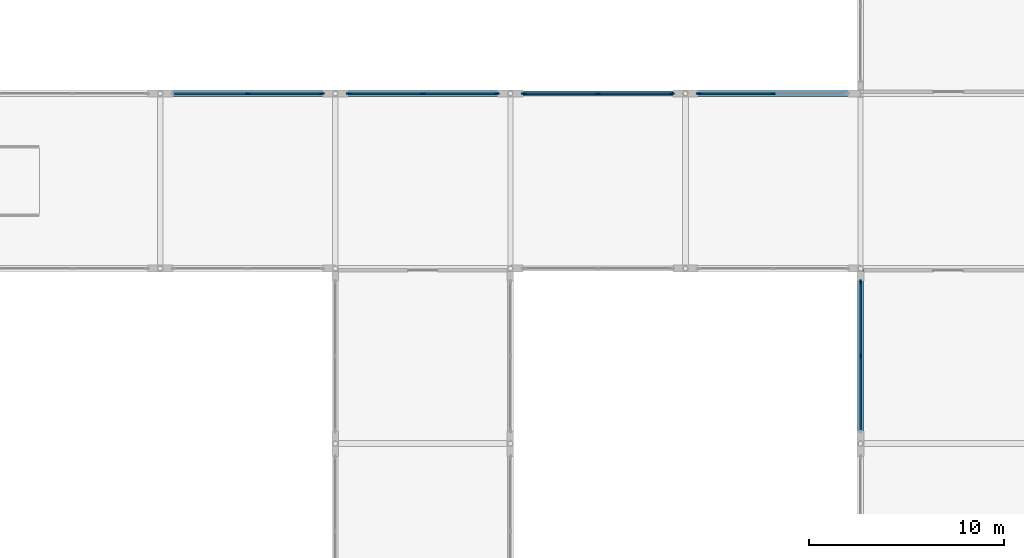
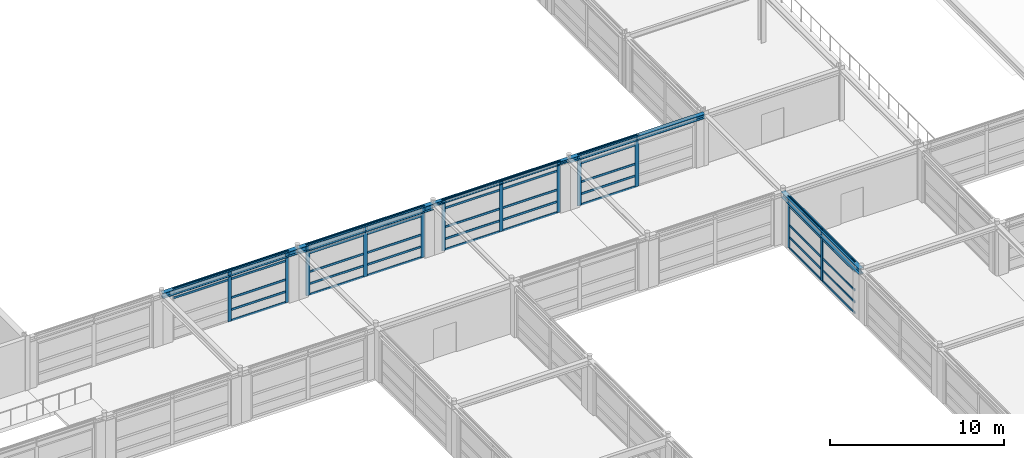
# One storey, part 37 of 79: 54 members, 5 beams, 5 elements without a shape of their own.
"""IFC4 building model written with IfcOpenShell, lengths in metres."""

from ifc_helpers import new_model, si_unit, direction, frame, origin, origin_2d, place, context, subcontext, project, spatial, rectangle, i_section, extrude, material, material_profile, profile_set, type_object, element, aggregate, save


model = new_model("IFC4")

# Units and contexts
model_context = context("Model", 3, precision=1e-05, world=origin(), true_north=direction((0.0, 1.0)))
body_context = subcontext(model_context, "Body", "Model", "MODEL_VIEW")
ifc_project = project(units=[si_unit("LENGTHUNIT", "METRE"), si_unit("AREAUNIT", "SQUARE_METRE"), si_unit("VOLUMEUNIT", "CUBIC_METRE"), si_unit("PLANEANGLEUNIT", "RADIAN"), si_unit("MASSUNIT", "GRAM", prefix="KILO")], contexts=[model_context])

# Site, building, storey
site_placement = place(None, origin())
site = spatial("IfcSite", under=ifc_project, at=site_placement, CompositionType="ELEMENT")
building_placement = place(site_placement, origin())
building = spatial("IfcBuilding", under=site, at=building_placement, Name="Palais des Congres Ocreval", CompositionType="ELEMENT")
storey_placement = place(building_placement, frame((0.0, 0.0, 4.320068359375)))
storey = spatial("IfcBuildingStorey", under=building, at=storey_placement, Name="L01", CompositionType="ELEMENT", Elevation=4.320068359375)

# Curtain wall, members
ifc_material_1 = material(Name="Anodized bronze aluminium and low-E glass", Category="glass")
curtain_wall_type = type_object("IfcCurtainWallType", Name="Unitised Curtain Wall 7900x3660", PredefinedType="USERDEFINED", material=ifc_material_1)
curtain_wall_1_placement = place(storey_placement, origin())
curtain_wall_1 = element("IfcCurtainWall", 1, at=curtain_wall_1_placement, inside=storey, type_object=curtain_wall_type, Name="Unitised Curtain Wall CW02 L01", ObjectType="UNITISED CURTAIN WALL", PredefinedType="USERDEFINED")
ifc_material_2 = material(Name="Anodized bronze aluminium", Category="aluminium")
ifc_material_profile_1 = material_profile(ifc_material_2, rectangle(XDim=0.074951171875, YDim=0.239990234375, at=origin_2d()), Name="ALU 75x240")
ifc_profile_set_1 = profile_set([ifc_material_profile_1], Name="Anodized bronze aluminium")
member_type_1 = type_object("IfcMemberType", Name="Curtain Wall Mullion ALU 75x240", PredefinedType="MULLION", material=ifc_profile_set_1)
member_1_placement = place(storey_placement, frame((67.5, 81.0, 0.0), z_axis=(0.0, 0.0, 1.0), x_axis=(0.0, 1.0, 0.0)))
member_1 = element("IfcMember", 2, at=member_1_placement, type_object=member_type_1, Name="Curtain Wall Mullion ML01", PredefinedType="MULLION", context=body_context, shape_type="SweptSolid", body=[
    extrude(rectangle(XDim=0.074951171875, YDim=0.239990234375, at=origin_2d()), origin(), (0.0, 0.0, 1.0), 3.58984375),
])
member_2_placement = place(storey_placement, frame((71.3125, 81.0, 0.0), z_axis=(0.0, 0.0, 1.0), x_axis=(0.0, 1.0, 0.0)))
member_2 = element("IfcMember", 3, at=member_2_placement, type_object=member_type_1, Name="Curtain Wall Mullion ML01", PredefinedType="MULLION", context=body_context, shape_type="SweptSolid", body=[
    extrude(rectangle(XDim=0.074951171875, YDim=0.239990234375, at=origin_2d()), origin(), (0.0, 0.0, 1.0), 3.58984375),
])

curtain_wall_2_placement = place(storey_placement, origin())
curtain_wall_2 = element("IfcCurtainWall", 4, at=curtain_wall_2_placement, inside=storey, type_object=curtain_wall_type, Name="Unitised Curtain Wall CW02 L01", ObjectType="UNITISED CURTAIN WALL", PredefinedType="USERDEFINED")
member_3_placement = place(storey_placement, frame((72.6875, 81.0, 0.0), z_axis=(0.0, 0.0, 1.0), x_axis=(0.0, 1.0, 0.0)))
member_3 = element("IfcMember", 5, at=member_3_placement, type_object=member_type_1, Name="Curtain Wall Mullion ML01", PredefinedType="MULLION", context=body_context, shape_type="SweptSolid", body=[
    extrude(rectangle(XDim=0.074951171875, YDim=0.239990234375, at=origin_2d()), origin(), (0.0, 0.0, 1.0), 3.58984375),
])
member_4_placement = place(storey_placement, frame((76.5, 81.0, 0.0), z_axis=(0.0, 0.0, 1.0), x_axis=(0.0, 1.0, 0.0)))
member_4 = element("IfcMember", 6, at=member_4_placement, type_object=member_type_1, Name="Curtain Wall Mullion ML01", PredefinedType="MULLION", context=body_context, shape_type="SweptSolid", body=[
    extrude(rectangle(XDim=0.074951171875, YDim=0.239990234375, at=origin_2d()), origin(), (0.0, 0.0, 1.0), 3.58984375),
])
member_5_placement = place(storey_placement, frame((80.3125, 81.0, 0.0), z_axis=(0.0, 0.0, 1.0), x_axis=(0.0, 1.0, 0.0)))
member_5 = element("IfcMember", 7, at=member_5_placement, type_object=member_type_1, Name="Curtain Wall Mullion ML01", PredefinedType="MULLION", context=body_context, shape_type="SweptSolid", body=[
    extrude(rectangle(XDim=0.074951171875, YDim=0.239990234375, at=origin_2d()), origin(), (0.0, 0.0, 1.0), 3.58984375),
])

curtain_wall_3_placement = place(storey_placement, origin())
curtain_wall_3 = element("IfcCurtainWall", 8, at=curtain_wall_3_placement, inside=storey, type_object=curtain_wall_type, Name="Unitised Curtain Wall CW02 L01", ObjectType="UNITISED CURTAIN WALL", PredefinedType="USERDEFINED")
member_6_placement = place(storey_placement, frame((81.6875, 81.0, 0.0), z_axis=(0.0, 0.0, 1.0), x_axis=(0.0, 1.0, 0.0)))
member_6 = element("IfcMember", 9, at=member_6_placement, type_object=member_type_1, Name="Curtain Wall Mullion ML01", PredefinedType="MULLION", context=body_context, shape_type="SweptSolid", body=[
    extrude(rectangle(XDim=0.074951171875, YDim=0.239990234375, at=origin_2d()), origin(), (0.0, 0.0, 1.0), 3.58984375),
])
member_7_placement = place(storey_placement, frame((85.5, 81.0, 0.0), z_axis=(0.0, 0.0, 1.0), x_axis=(0.0, 1.0, 0.0)))
member_7 = element("IfcMember", 10, at=member_7_placement, type_object=member_type_1, Name="Curtain Wall Mullion ML01", PredefinedType="MULLION", context=body_context, shape_type="SweptSolid", body=[
    extrude(rectangle(XDim=0.074951171875, YDim=0.239990234375, at=origin_2d()), origin(), (0.0, 0.0, 1.0), 3.58984375),
])
member_8_placement = place(storey_placement, frame((89.3125, 81.0, 0.0), z_axis=(0.0, 0.0, 1.0), x_axis=(0.0, 1.0, 0.0)))
member_8 = element("IfcMember", 11, at=member_8_placement, type_object=member_type_1, Name="Curtain Wall Mullion ML01", PredefinedType="MULLION", context=body_context, shape_type="SweptSolid", body=[
    extrude(rectangle(XDim=0.074951171875, YDim=0.239990234375, at=origin_2d()), origin(), (0.0, 0.0, 1.0), 3.58984375),
])

curtain_wall_4_placement = place(storey_placement, origin())
curtain_wall_4 = element("IfcCurtainWall", 12, at=curtain_wall_4_placement, inside=storey, type_object=curtain_wall_type, Name="Unitised Curtain Wall CW02 L01", ObjectType="UNITISED CURTAIN WALL", PredefinedType="USERDEFINED")
member_9_placement = place(storey_placement, frame((90.6875, 81.0, 0.0), z_axis=(0.0, 0.0, 1.0), x_axis=(0.0, 1.0, 0.0)))
member_9 = element("IfcMember", 13, at=member_9_placement, type_object=member_type_1, Name="Curtain Wall Mullion ML01", PredefinedType="MULLION", context=body_context, shape_type="SweptSolid", body=[
    extrude(rectangle(XDim=0.074951171875, YDim=0.239990234375, at=origin_2d()), origin(), (0.0, 0.0, 1.0), 3.58984375),
])
member_10_placement = place(storey_placement, frame((94.5, 81.0, 0.0), z_axis=(0.0, 0.0, 1.0), x_axis=(0.0, 1.0, 0.0)))
member_10 = element("IfcMember", 14, at=member_10_placement, type_object=member_type_1, Name="Curtain Wall Mullion ML01", PredefinedType="MULLION", context=body_context, shape_type="SweptSolid", body=[
    extrude(rectangle(XDim=0.074951171875, YDim=0.239990234375, at=origin_2d()), origin(), (0.0, 0.0, 1.0), 3.58984375),
])

curtain_wall_5_placement = place(storey_placement, origin())
curtain_wall_5 = element("IfcCurtainWall", 15, at=curtain_wall_5_placement, inside=storey, type_object=curtain_wall_type, Name="Unitised Curtain Wall CW02 L01", ObjectType="UNITISED CURTAIN WALL", PredefinedType="USERDEFINED")
member_11_placement = place(storey_placement, frame((99.0, 67.5, 0.0), z_axis=(0.0, 0.0, 1.0), x_axis=(-1.0, 0.0, 0.0)))
member_11 = element("IfcMember", 16, at=member_11_placement, type_object=member_type_1, Name="Curtain Wall Mullion ML01", PredefinedType="MULLION", context=body_context, shape_type="SweptSolid", body=[
    extrude(rectangle(XDim=0.074951171875, YDim=0.239990234375, at=origin_2d()), origin(), (0.0, 0.0, 1.0), 3.58984375),
])
member_12_placement = place(storey_placement, frame((99.0, 71.3125, 0.0), z_axis=(0.0, 0.0, 1.0), x_axis=(-1.0, 0.0, 0.0)))
member_12 = element("IfcMember", 17, at=member_12_placement, type_object=member_type_1, Name="Curtain Wall Mullion ML01", PredefinedType="MULLION", context=body_context, shape_type="SweptSolid", body=[
    extrude(rectangle(XDim=0.074951171875, YDim=0.239990234375, at=origin_2d()), origin(), (0.0, 0.0, 1.0), 3.58984375),
])

# Member
ifc_material_profile_2 = material_profile(ifc_material_2, rectangle(XDim=0.06005859375, YDim=0.14990234375, at=origin_2d()), Name="ALU 60x150")
ifc_profile_set_2 = profile_set([ifc_material_profile_2], Name="Anodized bronze aluminium")
member_type_2 = type_object("IfcMemberType", Name="Curtain Wall Transom ALU 60x150", PredefinedType="USERDEFINED", material=ifc_profile_set_2)
member_13_placement = place(storey_placement, frame((63.72509765625, 81.0, 2.93994140625), z_axis=(1.0, 0.0, 0.0), x_axis=(0.0, 1.0, 0.0)))
member_13 = element("IfcMember", 18, at=member_13_placement, type_object=member_type_2, Name="Curtain Wall Transom TR01", ObjectType="TRANSOM", PredefinedType="USERDEFINED", context=body_context, shape_type="SweptSolid", body=[
    extrude(rectangle(XDim=0.06005859375, YDim=0.14990234375, at=origin_2d()), origin(), (0.0, 0.0, 1.0), 3.7373046875),
])

member_14_placement = place(storey_placement, frame((63.72509765625, 81.0, 3.559814453125), z_axis=(1.0, 0.0, 0.0), x_axis=(0.0, 1.0, 0.0)))
member_14 = element("IfcMember", 19, at=member_14_placement, type_object=member_type_2, Name="Curtain Wall Transom TR01", ObjectType="TRANSOM", PredefinedType="USERDEFINED", context=body_context, shape_type="SweptSolid", body=[
    extrude(rectangle(XDim=0.06005859375, YDim=0.14990234375, at=origin_2d()), origin(), (0.0, 0.0, 1.0), 3.7373046875),
])

member_15_placement = place(storey_placement, frame((67.53759765625, 81.0, 0.030029296875), z_axis=(1.0, 0.0, 0.0), x_axis=(0.0, 1.0, 0.0)))
member_15 = element("IfcMember", 20, at=member_15_placement, type_object=member_type_2, Name="Curtain Wall Transom TR01", ObjectType="TRANSOM", PredefinedType="USERDEFINED", context=body_context, shape_type="SweptSolid", body=[
    extrude(rectangle(XDim=0.06005859375, YDim=0.14990234375, at=origin_2d()), origin(), (0.0, 0.0, 1.0), 3.7373046875),
])

member_16_placement = place(storey_placement, frame((67.53759765625, 81.0, 0.780029296875), z_axis=(1.0, 0.0, 0.0), x_axis=(0.0, 1.0, 0.0)))
member_16 = element("IfcMember", 21, at=member_16_placement, type_object=member_type_2, Name="Curtain Wall Transom TR01", ObjectType="TRANSOM", PredefinedType="USERDEFINED", context=body_context, shape_type="SweptSolid", body=[
    extrude(rectangle(XDim=0.06005859375, YDim=0.14990234375, at=origin_2d()), origin(), (0.0, 0.0, 1.0), 3.7373046875),
])

member_17_placement = place(storey_placement, frame((67.53759765625, 81.0, 1.616943359375), z_axis=(1.0, 0.0, 0.0), x_axis=(0.0, 1.0, 0.0)))
member_17 = element("IfcMember", 22, at=member_17_placement, type_object=member_type_2, Name="Curtain Wall Transom TR01", ObjectType="TRANSOM", PredefinedType="USERDEFINED", context=body_context, shape_type="SweptSolid", body=[
    extrude(rectangle(XDim=0.06005859375, YDim=0.14990234375, at=origin_2d()), origin(), (0.0, 0.0, 1.0), 3.7373046875),
])

member_18_placement = place(storey_placement, frame((67.53759765625, 81.0, 2.93994140625), z_axis=(1.0, 0.0, 0.0), x_axis=(0.0, 1.0, 0.0)))
member_18 = element("IfcMember", 23, at=member_18_placement, type_object=member_type_2, Name="Curtain Wall Transom TR01", ObjectType="TRANSOM", PredefinedType="USERDEFINED", context=body_context, shape_type="SweptSolid", body=[
    extrude(rectangle(XDim=0.06005859375, YDim=0.14990234375, at=origin_2d()), origin(), (0.0, 0.0, 1.0), 3.7373046875),
])

member_19_placement = place(storey_placement, frame((67.53759765625, 81.0, 3.559814453125), z_axis=(1.0, 0.0, 0.0), x_axis=(0.0, 1.0, 0.0)))
member_19 = element("IfcMember", 24, at=member_19_placement, type_object=member_type_2, Name="Curtain Wall Transom TR01", ObjectType="TRANSOM", PredefinedType="USERDEFINED", context=body_context, shape_type="SweptSolid", body=[
    extrude(rectangle(XDim=0.06005859375, YDim=0.14990234375, at=origin_2d()), origin(), (0.0, 0.0, 1.0), 3.7373046875),
])

aggregate(curtain_wall_1, [member_1, member_2, member_13, member_14, member_15, member_16, member_17, member_18, member_19])

member_20_placement = place(storey_placement, frame((72.72509765625, 81.0, 0.030029296875), z_axis=(1.0, 0.0, 0.0), x_axis=(0.0, 1.0, 0.0)))
member_20 = element("IfcMember", 25, at=member_20_placement, type_object=member_type_2, Name="Curtain Wall Transom TR01", ObjectType="TRANSOM", PredefinedType="USERDEFINED", context=body_context, shape_type="SweptSolid", body=[
    extrude(rectangle(XDim=0.06005859375, YDim=0.14990234375, at=origin_2d()), origin(), (0.0, 0.0, 1.0), 3.7373046875),
])

member_21_placement = place(storey_placement, frame((72.72509765625, 81.0, 0.780029296875), z_axis=(1.0, 0.0, 0.0), x_axis=(0.0, 1.0, 0.0)))
member_21 = element("IfcMember", 26, at=member_21_placement, type_object=member_type_2, Name="Curtain Wall Transom TR01", ObjectType="TRANSOM", PredefinedType="USERDEFINED", context=body_context, shape_type="SweptSolid", body=[
    extrude(rectangle(XDim=0.06005859375, YDim=0.14990234375, at=origin_2d()), origin(), (0.0, 0.0, 1.0), 3.7373046875),
])

member_22_placement = place(storey_placement, frame((72.72509765625, 81.0, 1.616943359375), z_axis=(1.0, 0.0, 0.0), x_axis=(0.0, 1.0, 0.0)))
member_22 = element("IfcMember", 27, at=member_22_placement, type_object=member_type_2, Name="Curtain Wall Transom TR01", ObjectType="TRANSOM", PredefinedType="USERDEFINED", context=body_context, shape_type="SweptSolid", body=[
    extrude(rectangle(XDim=0.06005859375, YDim=0.14990234375, at=origin_2d()), origin(), (0.0, 0.0, 1.0), 3.7373046875),
])

member_23_placement = place(storey_placement, frame((72.72509765625, 81.0, 2.93994140625), z_axis=(1.0, 0.0, 0.0), x_axis=(0.0, 1.0, 0.0)))
member_23 = element("IfcMember", 28, at=member_23_placement, type_object=member_type_2, Name="Curtain Wall Transom TR01", ObjectType="TRANSOM", PredefinedType="USERDEFINED", context=body_context, shape_type="SweptSolid", body=[
    extrude(rectangle(XDim=0.06005859375, YDim=0.14990234375, at=origin_2d()), origin(), (0.0, 0.0, 1.0), 3.7373046875),
])

member_24_placement = place(storey_placement, frame((72.72509765625, 81.0, 3.559814453125), z_axis=(1.0, 0.0, 0.0), x_axis=(0.0, 1.0, 0.0)))
member_24 = element("IfcMember", 29, at=member_24_placement, type_object=member_type_2, Name="Curtain Wall Transom TR01", ObjectType="TRANSOM", PredefinedType="USERDEFINED", context=body_context, shape_type="SweptSolid", body=[
    extrude(rectangle(XDim=0.06005859375, YDim=0.14990234375, at=origin_2d()), origin(), (0.0, 0.0, 1.0), 3.7373046875),
])

member_25_placement = place(storey_placement, frame((76.53759765625, 81.0, 0.030029296875), z_axis=(1.0, 0.0, 0.0), x_axis=(0.0, 1.0, 0.0)))
member_25 = element("IfcMember", 30, at=member_25_placement, type_object=member_type_2, Name="Curtain Wall Transom TR01", ObjectType="TRANSOM", PredefinedType="USERDEFINED", context=body_context, shape_type="SweptSolid", body=[
    extrude(rectangle(XDim=0.06005859375, YDim=0.14990234375, at=origin_2d()), origin(), (0.0, 0.0, 1.0), 3.7373046875),
])

member_26_placement = place(storey_placement, frame((76.53759765625, 81.0, 0.780029296875), z_axis=(1.0, 0.0, 0.0), x_axis=(0.0, 1.0, 0.0)))
member_26 = element("IfcMember", 31, at=member_26_placement, type_object=member_type_2, Name="Curtain Wall Transom TR01", ObjectType="TRANSOM", PredefinedType="USERDEFINED", context=body_context, shape_type="SweptSolid", body=[
    extrude(rectangle(XDim=0.06005859375, YDim=0.14990234375, at=origin_2d()), origin(), (0.0, 0.0, 1.0), 3.7373046875),
])

member_27_placement = place(storey_placement, frame((76.53759765625, 81.0, 1.616943359375), z_axis=(1.0, 0.0, 0.0), x_axis=(0.0, 1.0, 0.0)))
member_27 = element("IfcMember", 32, at=member_27_placement, type_object=member_type_2, Name="Curtain Wall Transom TR01", ObjectType="TRANSOM", PredefinedType="USERDEFINED", context=body_context, shape_type="SweptSolid", body=[
    extrude(rectangle(XDim=0.06005859375, YDim=0.14990234375, at=origin_2d()), origin(), (0.0, 0.0, 1.0), 3.7373046875),
])

member_28_placement = place(storey_placement, frame((76.53759765625, 81.0, 2.93994140625), z_axis=(1.0, 0.0, 0.0), x_axis=(0.0, 1.0, 0.0)))
member_28 = element("IfcMember", 33, at=member_28_placement, type_object=member_type_2, Name="Curtain Wall Transom TR01", ObjectType="TRANSOM", PredefinedType="USERDEFINED", context=body_context, shape_type="SweptSolid", body=[
    extrude(rectangle(XDim=0.06005859375, YDim=0.14990234375, at=origin_2d()), origin(), (0.0, 0.0, 1.0), 3.7373046875),
])

member_29_placement = place(storey_placement, frame((76.53759765625, 81.0, 3.559814453125), z_axis=(1.0, 0.0, 0.0), x_axis=(0.0, 1.0, 0.0)))
member_29 = element("IfcMember", 34, at=member_29_placement, type_object=member_type_2, Name="Curtain Wall Transom TR01", ObjectType="TRANSOM", PredefinedType="USERDEFINED", context=body_context, shape_type="SweptSolid", body=[
    extrude(rectangle(XDim=0.06005859375, YDim=0.14990234375, at=origin_2d()), origin(), (0.0, 0.0, 1.0), 3.7373046875),
])

aggregate(curtain_wall_2, [member_3, member_4, member_5, member_20, member_21, member_22, member_23, member_24, member_25, member_26, member_27, member_28, member_29])

member_30_placement = place(storey_placement, frame((81.72509765625, 81.0, 0.030029296875), z_axis=(1.0, 0.0, 0.0), x_axis=(0.0, 1.0, 0.0)))
member_30 = element("IfcMember", 35, at=member_30_placement, type_object=member_type_2, Name="Curtain Wall Transom TR01", ObjectType="TRANSOM", PredefinedType="USERDEFINED", context=body_context, shape_type="SweptSolid", body=[
    extrude(rectangle(XDim=0.06005859375, YDim=0.14990234375, at=origin_2d()), origin(), (0.0, 0.0, 1.0), 3.7373046875),
])

member_31_placement = place(storey_placement, frame((81.72509765625, 81.0, 0.780029296875), z_axis=(1.0, 0.0, 0.0), x_axis=(0.0, 1.0, 0.0)))
member_31 = element("IfcMember", 36, at=member_31_placement, type_object=member_type_2, Name="Curtain Wall Transom TR01", ObjectType="TRANSOM", PredefinedType="USERDEFINED", context=body_context, shape_type="SweptSolid", body=[
    extrude(rectangle(XDim=0.06005859375, YDim=0.14990234375, at=origin_2d()), origin(), (0.0, 0.0, 1.0), 3.7373046875),
])

member_32_placement = place(storey_placement, frame((81.72509765625, 81.0, 1.616943359375), z_axis=(1.0, 0.0, 0.0), x_axis=(0.0, 1.0, 0.0)))
member_32 = element("IfcMember", 37, at=member_32_placement, type_object=member_type_2, Name="Curtain Wall Transom TR01", ObjectType="TRANSOM", PredefinedType="USERDEFINED", context=body_context, shape_type="SweptSolid", body=[
    extrude(rectangle(XDim=0.06005859375, YDim=0.14990234375, at=origin_2d()), origin(), (0.0, 0.0, 1.0), 3.7373046875),
])

member_33_placement = place(storey_placement, frame((81.72509765625, 81.0, 2.93994140625), z_axis=(1.0, 0.0, 0.0), x_axis=(0.0, 1.0, 0.0)))
member_33 = element("IfcMember", 38, at=member_33_placement, type_object=member_type_2, Name="Curtain Wall Transom TR01", ObjectType="TRANSOM", PredefinedType="USERDEFINED", context=body_context, shape_type="SweptSolid", body=[
    extrude(rectangle(XDim=0.06005859375, YDim=0.14990234375, at=origin_2d()), origin(), (0.0, 0.0, 1.0), 3.7373046875),
])

member_34_placement = place(storey_placement, frame((81.72509765625, 81.0, 3.559814453125), z_axis=(1.0, 0.0, 0.0), x_axis=(0.0, 1.0, 0.0)))
member_34 = element("IfcMember", 39, at=member_34_placement, type_object=member_type_2, Name="Curtain Wall Transom TR01", ObjectType="TRANSOM", PredefinedType="USERDEFINED", context=body_context, shape_type="SweptSolid", body=[
    extrude(rectangle(XDim=0.06005859375, YDim=0.14990234375, at=origin_2d()), origin(), (0.0, 0.0, 1.0), 3.7373046875),
])

member_35_placement = place(storey_placement, frame((85.53759765625, 81.0, 0.030029296875), z_axis=(1.0, 0.0, 0.0), x_axis=(0.0, 1.0, 0.0)))
member_35 = element("IfcMember", 40, at=member_35_placement, type_object=member_type_2, Name="Curtain Wall Transom TR01", ObjectType="TRANSOM", PredefinedType="USERDEFINED", context=body_context, shape_type="SweptSolid", body=[
    extrude(rectangle(XDim=0.06005859375, YDim=0.14990234375, at=origin_2d()), origin(), (0.0, 0.0, 1.0), 3.7373046875),
])

member_36_placement = place(storey_placement, frame((85.53759765625, 81.0, 0.780029296875), z_axis=(1.0, 0.0, 0.0), x_axis=(0.0, 1.0, 0.0)))
member_36 = element("IfcMember", 41, at=member_36_placement, type_object=member_type_2, Name="Curtain Wall Transom TR01", ObjectType="TRANSOM", PredefinedType="USERDEFINED", context=body_context, shape_type="SweptSolid", body=[
    extrude(rectangle(XDim=0.06005859375, YDim=0.14990234375, at=origin_2d()), origin(), (0.0, 0.0, 1.0), 3.7373046875),
])

member_37_placement = place(storey_placement, frame((85.53759765625, 81.0, 1.616943359375), z_axis=(1.0, 0.0, 0.0), x_axis=(0.0, 1.0, 0.0)))
member_37 = element("IfcMember", 42, at=member_37_placement, type_object=member_type_2, Name="Curtain Wall Transom TR01", ObjectType="TRANSOM", PredefinedType="USERDEFINED", context=body_context, shape_type="SweptSolid", body=[
    extrude(rectangle(XDim=0.06005859375, YDim=0.14990234375, at=origin_2d()), origin(), (0.0, 0.0, 1.0), 3.7373046875),
])

member_38_placement = place(storey_placement, frame((85.53759765625, 81.0, 2.93994140625), z_axis=(1.0, 0.0, 0.0), x_axis=(0.0, 1.0, 0.0)))
member_38 = element("IfcMember", 43, at=member_38_placement, type_object=member_type_2, Name="Curtain Wall Transom TR01", ObjectType="TRANSOM", PredefinedType="USERDEFINED", context=body_context, shape_type="SweptSolid", body=[
    extrude(rectangle(XDim=0.06005859375, YDim=0.14990234375, at=origin_2d()), origin(), (0.0, 0.0, 1.0), 3.7373046875),
])

member_39_placement = place(storey_placement, frame((85.53759765625, 81.0, 3.559814453125), z_axis=(1.0, 0.0, 0.0), x_axis=(0.0, 1.0, 0.0)))
member_39 = element("IfcMember", 44, at=member_39_placement, type_object=member_type_2, Name="Curtain Wall Transom TR01", ObjectType="TRANSOM", PredefinedType="USERDEFINED", context=body_context, shape_type="SweptSolid", body=[
    extrude(rectangle(XDim=0.06005859375, YDim=0.14990234375, at=origin_2d()), origin(), (0.0, 0.0, 1.0), 3.7373046875),
])

aggregate(curtain_wall_3, [member_6, member_7, member_8, member_30, member_31, member_32, member_33, member_34, member_35, member_36, member_37, member_38, member_39])

member_40_placement = place(storey_placement, frame((90.72509765625, 81.0, 0.030029296875), z_axis=(1.0, 0.0, 0.0), x_axis=(0.0, 1.0, 0.0)))
member_40 = element("IfcMember", 45, at=member_40_placement, type_object=member_type_2, Name="Curtain Wall Transom TR01", ObjectType="TRANSOM", PredefinedType="USERDEFINED", context=body_context, shape_type="SweptSolid", body=[
    extrude(rectangle(XDim=0.06005859375, YDim=0.14990234375, at=origin_2d()), origin(), (0.0, 0.0, 1.0), 3.7373046875),
])

member_41_placement = place(storey_placement, frame((90.72509765625, 81.0, 0.780029296875), z_axis=(1.0, 0.0, 0.0), x_axis=(0.0, 1.0, 0.0)))
member_41 = element("IfcMember", 46, at=member_41_placement, type_object=member_type_2, Name="Curtain Wall Transom TR01", ObjectType="TRANSOM", PredefinedType="USERDEFINED", context=body_context, shape_type="SweptSolid", body=[
    extrude(rectangle(XDim=0.06005859375, YDim=0.14990234375, at=origin_2d()), origin(), (0.0, 0.0, 1.0), 3.7373046875),
])

member_42_placement = place(storey_placement, frame((90.72509765625, 81.0, 1.616943359375), z_axis=(1.0, 0.0, 0.0), x_axis=(0.0, 1.0, 0.0)))
member_42 = element("IfcMember", 47, at=member_42_placement, type_object=member_type_2, Name="Curtain Wall Transom TR01", ObjectType="TRANSOM", PredefinedType="USERDEFINED", context=body_context, shape_type="SweptSolid", body=[
    extrude(rectangle(XDim=0.06005859375, YDim=0.14990234375, at=origin_2d()), origin(), (0.0, 0.0, 1.0), 3.7373046875),
])

member_43_placement = place(storey_placement, frame((90.72509765625, 81.0, 2.93994140625), z_axis=(1.0, 0.0, 0.0), x_axis=(0.0, 1.0, 0.0)))
member_43 = element("IfcMember", 48, at=member_43_placement, type_object=member_type_2, Name="Curtain Wall Transom TR01", ObjectType="TRANSOM", PredefinedType="USERDEFINED", context=body_context, shape_type="SweptSolid", body=[
    extrude(rectangle(XDim=0.06005859375, YDim=0.14990234375, at=origin_2d()), origin(), (0.0, 0.0, 1.0), 3.7373046875),
])

member_44_placement = place(storey_placement, frame((90.72509765625, 81.0, 3.559814453125), z_axis=(1.0, 0.0, 0.0), x_axis=(0.0, 1.0, 0.0)))
member_44 = element("IfcMember", 49, at=member_44_placement, type_object=member_type_2, Name="Curtain Wall Transom TR01", ObjectType="TRANSOM", PredefinedType="USERDEFINED", context=body_context, shape_type="SweptSolid", body=[
    extrude(rectangle(XDim=0.06005859375, YDim=0.14990234375, at=origin_2d()), origin(), (0.0, 0.0, 1.0), 3.7373046875),
])

aggregate(curtain_wall_4, [member_9, member_10, member_40, member_41, member_42, member_43, member_44])

member_45_placement = place(storey_placement, frame((99.0, 63.72509765625, 0.030029296875), z_axis=(0.0, 1.0, 0.0), x_axis=(-1.0, 0.0, 0.0)))
member_45 = element("IfcMember", 50, at=member_45_placement, type_object=member_type_2, Name="Curtain Wall Transom TR01", ObjectType="TRANSOM", PredefinedType="USERDEFINED", context=body_context, shape_type="SweptSolid", body=[
    extrude(rectangle(XDim=0.06005859375, YDim=0.14990234375, at=origin_2d()), origin(), (0.0, 0.0, 1.0), 3.7373046875),
])

member_46_placement = place(storey_placement, frame((99.0, 63.72509765625, 0.780029296875), z_axis=(0.0, 1.0, 0.0), x_axis=(-1.0, 0.0, 0.0)))
member_46 = element("IfcMember", 51, at=member_46_placement, type_object=member_type_2, Name="Curtain Wall Transom TR01", ObjectType="TRANSOM", PredefinedType="USERDEFINED", context=body_context, shape_type="SweptSolid", body=[
    extrude(rectangle(XDim=0.06005859375, YDim=0.14990234375, at=origin_2d()), origin(), (0.0, 0.0, 1.0), 3.7373046875),
])

member_47_placement = place(storey_placement, frame((99.0, 63.72509765625, 1.616943359375), z_axis=(0.0, 1.0, 0.0), x_axis=(-1.0, 0.0, 0.0)))
member_47 = element("IfcMember", 52, at=member_47_placement, type_object=member_type_2, Name="Curtain Wall Transom TR01", ObjectType="TRANSOM", PredefinedType="USERDEFINED", context=body_context, shape_type="SweptSolid", body=[
    extrude(rectangle(XDim=0.06005859375, YDim=0.14990234375, at=origin_2d()), origin(), (0.0, 0.0, 1.0), 3.7373046875),
])

member_48_placement = place(storey_placement, frame((99.0, 63.72509765625, 2.93994140625), z_axis=(0.0, 1.0, 0.0), x_axis=(-1.0, 0.0, 0.0)))
member_48 = element("IfcMember", 53, at=member_48_placement, type_object=member_type_2, Name="Curtain Wall Transom TR01", ObjectType="TRANSOM", PredefinedType="USERDEFINED", context=body_context, shape_type="SweptSolid", body=[
    extrude(rectangle(XDim=0.06005859375, YDim=0.14990234375, at=origin_2d()), origin(), (0.0, 0.0, 1.0), 3.7373046875),
])

member_49_placement = place(storey_placement, frame((99.0, 63.72509765625, 3.559814453125), z_axis=(0.0, 1.0, 0.0), x_axis=(-1.0, 0.0, 0.0)))
member_49 = element("IfcMember", 54, at=member_49_placement, type_object=member_type_2, Name="Curtain Wall Transom TR01", ObjectType="TRANSOM", PredefinedType="USERDEFINED", context=body_context, shape_type="SweptSolid", body=[
    extrude(rectangle(XDim=0.06005859375, YDim=0.14990234375, at=origin_2d()), origin(), (0.0, 0.0, 1.0), 3.7373046875),
])

member_50_placement = place(storey_placement, frame((99.0, 67.53759765625, 0.030029296875), z_axis=(0.0, 1.0, 0.0), x_axis=(-1.0, 0.0, 0.0)))
member_50 = element("IfcMember", 55, at=member_50_placement, type_object=member_type_2, Name="Curtain Wall Transom TR01", ObjectType="TRANSOM", PredefinedType="USERDEFINED", context=body_context, shape_type="SweptSolid", body=[
    extrude(rectangle(XDim=0.06005859375, YDim=0.14990234375, at=origin_2d()), origin(), (0.0, 0.0, 1.0), 3.7373046875),
])

member_51_placement = place(storey_placement, frame((99.0, 67.53759765625, 0.780029296875), z_axis=(0.0, 1.0, 0.0), x_axis=(-1.0, 0.0, 0.0)))
member_51 = element("IfcMember", 56, at=member_51_placement, type_object=member_type_2, Name="Curtain Wall Transom TR01", ObjectType="TRANSOM", PredefinedType="USERDEFINED", context=body_context, shape_type="SweptSolid", body=[
    extrude(rectangle(XDim=0.06005859375, YDim=0.14990234375, at=origin_2d()), origin(), (0.0, 0.0, 1.0), 3.7373046875),
])

member_52_placement = place(storey_placement, frame((99.0, 67.53759765625, 1.616943359375), z_axis=(0.0, 1.0, 0.0), x_axis=(-1.0, 0.0, 0.0)))
member_52 = element("IfcMember", 57, at=member_52_placement, type_object=member_type_2, Name="Curtain Wall Transom TR01", ObjectType="TRANSOM", PredefinedType="USERDEFINED", context=body_context, shape_type="SweptSolid", body=[
    extrude(rectangle(XDim=0.06005859375, YDim=0.14990234375, at=origin_2d()), origin(), (0.0, 0.0, 1.0), 3.7373046875),
])

member_53_placement = place(storey_placement, frame((99.0, 67.53759765625, 2.93994140625), z_axis=(0.0, 1.0, 0.0), x_axis=(-1.0, 0.0, 0.0)))
member_53 = element("IfcMember", 58, at=member_53_placement, type_object=member_type_2, Name="Curtain Wall Transom TR01", ObjectType="TRANSOM", PredefinedType="USERDEFINED", context=body_context, shape_type="SweptSolid", body=[
    extrude(rectangle(XDim=0.06005859375, YDim=0.14990234375, at=origin_2d()), origin(), (0.0, 0.0, 1.0), 3.7373046875),
])

member_54_placement = place(storey_placement, frame((99.0, 67.53759765625, 3.559814453125), z_axis=(0.0, 1.0, 0.0), x_axis=(-1.0, 0.0, 0.0)))
member_54 = element("IfcMember", 59, at=member_54_placement, type_object=member_type_2, Name="Curtain Wall Transom TR01", ObjectType="TRANSOM", PredefinedType="USERDEFINED", context=body_context, shape_type="SweptSolid", body=[
    extrude(rectangle(XDim=0.06005859375, YDim=0.14990234375, at=origin_2d()), origin(), (0.0, 0.0, 1.0), 3.7373046875),
])

aggregate(curtain_wall_5, [member_11, member_12, member_45, member_46, member_47, member_48, member_49, member_50, member_51, member_52, member_53, member_54])

# Beams
ifc_material_3 = material(Name="Steel S355", Category="steel")
ifc_material_profile_3 = material_profile(ifc_material_3, i_section(OverallWidth=0.239990234375, OverallDepth=0.22998046875, WebThickness=0.007568359375, FlangeThickness=0.011962890625, at=origin_2d()), Name="HEA 240")
ifc_profile_set_3 = profile_set([ifc_material_profile_3], Name="Steel S355")
beam_type_1 = type_object("IfcBeamType", Name="Perimeter Spandrel HEA 240 Steel S355", PredefinedType="SPANDREL", material=ifc_profile_set_3)
beam_1_placement = place(storey_placement, frame((81.02001953125, 81.0, 3.46484375), z_axis=(1.0, 0.0, 0.0), x_axis=(0.0, 1.0, 0.0)))
element("IfcBeam", 60, at=beam_1_placement, inside=storey, type_object=beam_type_1, Name="Beam SP01 L01", PredefinedType="SPANDREL", context=body_context, shape_type="SweptSolid", body=[
    extrude(i_section(OverallWidth=0.239990234375, OverallDepth=0.22998046875, WebThickness=0.007568359375, FlangeThickness=0.011962890625, at=origin_2d()), origin(), (0.0, 0.0, 1.0), 8.9599609375),
])
ifc_material_profile_4 = material_profile(ifc_material_3, i_section(OverallWidth=0.300048828125, OverallDepth=0.300048828125, WebThickness=0.010986328125, FlangeThickness=0.01904296875, at=origin_2d()), Name="HEB 300")
ifc_profile_set_4 = profile_set([ifc_material_profile_4], Name="Steel S355")
beam_type_2 = type_object("IfcBeamType", Name="Perimeter Spandrel HEB 300 Steel S355", PredefinedType="SPANDREL", material=ifc_profile_set_4)
beam_2_placement = place(storey_placement, frame((90.02001953125, 81.0, 3.429931640625), z_axis=(1.0, 0.0, 0.0), x_axis=(0.0, 1.0, 0.0)))
element("IfcBeam", 61, at=beam_2_placement, inside=storey, type_object=beam_type_2, Name="Beam SP02 L01", PredefinedType="SPANDREL", context=body_context, shape_type="SweptSolid", body=[
    extrude(i_section(OverallWidth=0.300048828125, OverallDepth=0.300048828125, WebThickness=0.010986328125, FlangeThickness=0.01904296875, at=origin_2d()), origin(), (0.0, 0.0, 1.0), 8.9599609375),
])
ifc_material_profile_5 = material_profile(ifc_material_3, i_section(OverallWidth=0.300048828125, OverallDepth=0.360107421875, WebThickness=0.012451171875, FlangeThickness=0.0224609375, at=origin_2d()), Name="HEB 360")
ifc_profile_set_5 = profile_set([ifc_material_profile_5], Name="Steel S355")
beam_type_3 = type_object("IfcBeamType", Name="Perimeter Spandrel HEB 360 Steel S355", PredefinedType="SPANDREL", material=ifc_profile_set_5)
beam_3_placement = place(storey_placement, frame((63.02001953125, 81.0, 3.39990234375), z_axis=(1.0, 0.0, 0.0), x_axis=(0.0, 1.0, 0.0)))
element("IfcBeam", 62, at=beam_3_placement, inside=storey, type_object=beam_type_3, Name="Beam SP03 L01", PredefinedType="SPANDREL", context=body_context, shape_type="SweptSolid", body=[
    extrude(i_section(OverallWidth=0.300048828125, OverallDepth=0.360107421875, WebThickness=0.012451171875, FlangeThickness=0.0224609375, at=origin_2d()), origin(), (0.0, 0.0, 1.0), 8.9599609375),
])
ifc_material_profile_6 = material_profile(ifc_material_3, i_section(OverallWidth=0.300048828125, OverallDepth=0.39990234375, WebThickness=0.013427734375, FlangeThickness=0.02392578125, at=origin_2d()), Name="HEB 400")
ifc_profile_set_6 = profile_set([ifc_material_profile_6], Name="Steel S355")
beam_type_4 = type_object("IfcBeamType", Name="Perimeter Spandrel HEB 400 Steel S355", PredefinedType="SPANDREL", material=ifc_profile_set_6)
for number, where, z_axis, x_axis, name in (
    (63, (72.02001953125, 81.0, 3.3798828125), (1.0, 0.0, 0.0), (0.0, 1.0, 0.0), "Beam SP04 L01"),
    (64, (99.0, 63.02001953125, 3.3798828125), (0.0, 1.0, 0.0), (-1.0, 0.0, 0.0), "Girder SP04 L01"),
):
    element("IfcBeam", number, at=place(storey_placement, frame(where, z_axis=z_axis, x_axis=x_axis)), inside=storey, type_object=beam_type_4, Name=name, PredefinedType="SPANDREL", context=body_context, shape_type="SweptSolid", body=[
        extrude(i_section(OverallWidth=0.300048828125, OverallDepth=0.39990234375, WebThickness=0.013427734375, FlangeThickness=0.02392578125, at=origin_2d()), origin(), (0.0, 0.0, 1.0), 8.9599609375),
    ])

save(model, "model.ifc")
